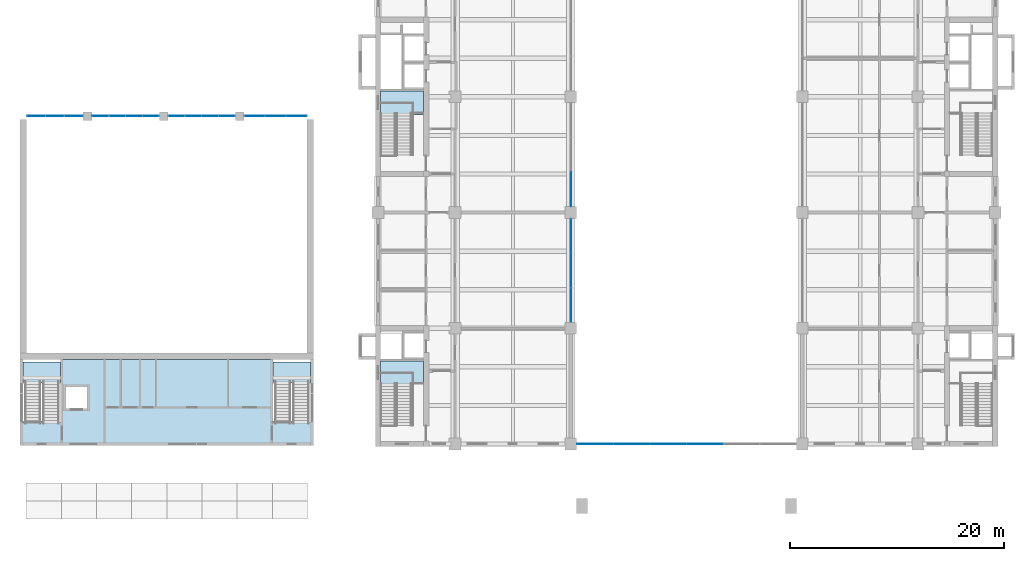
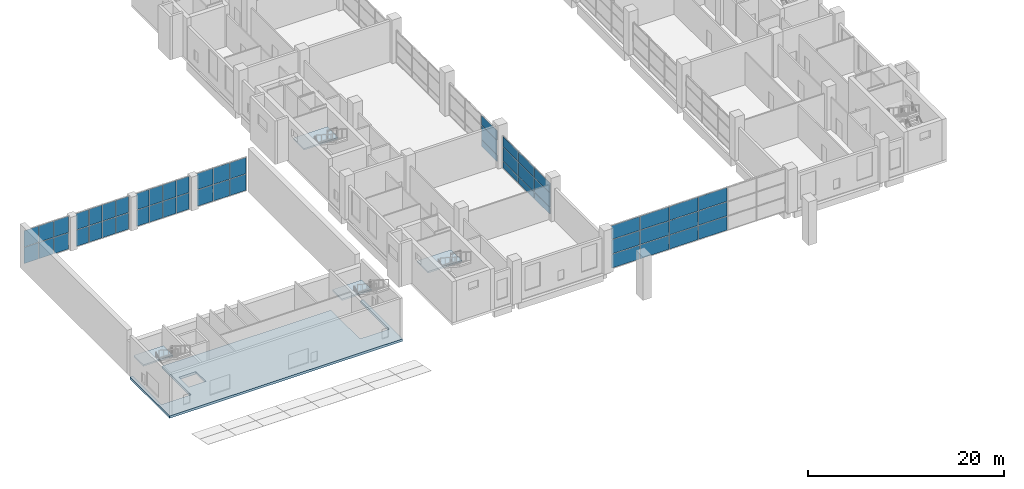
# One storey, part 14 of 33: 52 plates, 5 slabs, 11 elements without a shape of their own.
"""IFC4 building model written with IfcOpenShell, lengths in metres."""

from ifc_helpers import new_model, si_unit, direction, frame, origin, origin_2d, place, context, subcontext, project, spatial, polyline, rectangle, outline, extrude, material, layer, layer_set, type_object, element, aggregate, save


model = new_model("IFC4")

# Units and contexts
model_context = context("Model", 3, precision=1e-05, world=origin(), true_north=direction((0.0, 1.0)))
body_context = subcontext(model_context, "Body", "Model", "MODEL_VIEW")
ifc_project = project(units=[si_unit("LENGTHUNIT", "METRE"), si_unit("AREAUNIT", "SQUARE_METRE"), si_unit("VOLUMEUNIT", "CUBIC_METRE"), si_unit("PLANEANGLEUNIT", "RADIAN"), si_unit("MASSUNIT", "GRAM", prefix="KILO")], contexts=[model_context])

# Site, building, storey
site_placement = place(None, origin())
site = spatial("IfcSite", under=ifc_project, at=site_placement, CompositionType="ELEMENT")
building_placement = place(site_placement, origin())
building = spatial("IfcBuilding", under=site, at=building_placement, Name="Basin Gate Institute", CompositionType="ELEMENT")
storey_placement = place(building_placement, frame((0.0, 0.0, 6.0)))
storey = spatial("IfcBuildingStorey", under=building, at=storey_placement, Name="L01", CompositionType="ELEMENT", Elevation=6.0)

# Curtain wall, plates
ifc_material_1 = material(Name="Aluminium and glass curtain wall", Category="aluminium")
ifc_layer_1 = layer(ifc_material_1, 0.14990234375)
ifc_layer_set_1 = layer_set([ifc_layer_1], Name="Atrium curtain wall CW81")
curtain_wall_type_1 = type_object("IfcCurtainWallType", Name="Atrium curtain wall CW81", PredefinedType="NOTDEFINED", material=ifc_layer_set_1)
curtain_wall_1_placement = place(storey_placement, origin())
curtain_wall_1 = element("IfcCurtainWall", 1, at=curtain_wall_1_placement, inside=storey, type_object=curtain_wall_type_1, material=ifc_layer_set_1, Name="Theatre clerestory glazing 1", PredefinedType="NOTDEFINED")
ifc_material_2 = material(Name="Toughened glass", Category="glass")
ifc_layer_2 = layer(ifc_material_2, 0.028076171875)
ifc_layer_set_2 = layer_set([ifc_layer_2], Name="Atrium glass panel PN81")
plate_type_1 = type_object("IfcPlateType", Name="Atrium glass panel PN81", PredefinedType="CURTAIN_PANEL", material=ifc_layer_set_2)
plate_1_placement = place(storey_placement, frame((29.29833984375, 65.699951171875, 0.06005859375), z_axis=(0.0, 0.0, 1.0), x_axis=(1.0, 0.0, 0.0)))
plate_1 = element("IfcPlate", 2, at=plate_1_placement, type_object=plate_type_1, material=ifc_layer_set_2, Name="CW81 panel 1.1", PredefinedType="CURTAIN_PANEL", context=body_context, shape_type="SweptSolid", body=[
    extrude(rectangle(XDim=1.6767578125, YDim=0.028076171875, at=origin_2d()), origin(), (0.0, 0.0, 1.0), 2.010009765625),
])
plate_2_placement = place(storey_placement, frame((29.29833984375, 65.699951171875, 2.1298828125), z_axis=(0.0, 0.0, 1.0), x_axis=(1.0, 0.0, 0.0)))
plate_2 = element("IfcPlate", 3, at=plate_2_placement, type_object=plate_type_1, material=ifc_layer_set_2, Name="CW81 panel 1.2", PredefinedType="CURTAIN_PANEL", context=body_context, shape_type="SweptSolid", body=[
    extrude(rectangle(XDim=1.6767578125, YDim=0.028076171875, at=origin_2d()), origin(), (0.0, 0.0, 1.0), 2.010009765625),
])
plate_3_placement = place(storey_placement, frame((31.050048828125, 65.699951171875, 0.06005859375), z_axis=(0.0, 0.0, 1.0), x_axis=(1.0, 0.0, 0.0)))
plate_3 = element("IfcPlate", 4, at=plate_3_placement, type_object=plate_type_1, material=ifc_layer_set_2, Name="CW81 panel 2.1", PredefinedType="CURTAIN_PANEL", context=body_context, shape_type="SweptSolid", body=[
    extrude(rectangle(XDim=1.706787109375, YDim=0.028076171875, at=origin_2d()), origin(), (0.0, 0.0, 1.0), 2.010009765625),
])
plate_4_placement = place(storey_placement, frame((31.050048828125, 65.699951171875, 2.1298828125), z_axis=(0.0, 0.0, 1.0), x_axis=(1.0, 0.0, 0.0)))
plate_4 = element("IfcPlate", 5, at=plate_4_placement, type_object=plate_type_1, material=ifc_layer_set_2, Name="CW81 panel 2.2", PredefinedType="CURTAIN_PANEL", context=body_context, shape_type="SweptSolid", body=[
    extrude(rectangle(XDim=1.706787109375, YDim=0.028076171875, at=origin_2d()), origin(), (0.0, 0.0, 1.0), 2.010009765625),
])
plate_5_placement = place(storey_placement, frame((32.8017578125, 65.699951171875, 0.06005859375), z_axis=(0.0, 0.0, 1.0), x_axis=(1.0, 0.0, 0.0)))
plate_5 = element("IfcPlate", 6, at=plate_5_placement, type_object=plate_type_1, material=ifc_layer_set_2, Name="CW81 panel 3.1", PredefinedType="CURTAIN_PANEL", context=body_context, shape_type="SweptSolid", body=[
    extrude(rectangle(XDim=1.6767578125, YDim=0.028076171875, at=origin_2d()), origin(), (0.0, 0.0, 1.0), 2.010009765625),
])
plate_6_placement = place(storey_placement, frame((32.8017578125, 65.699951171875, 2.1298828125), z_axis=(0.0, 0.0, 1.0), x_axis=(1.0, 0.0, 0.0)))
plate_6 = element("IfcPlate", 7, at=plate_6_placement, type_object=plate_type_1, material=ifc_layer_set_2, Name="CW81 panel 3.2", PredefinedType="CURTAIN_PANEL", context=body_context, shape_type="SweptSolid", body=[
    extrude(rectangle(XDim=1.6767578125, YDim=0.028076171875, at=origin_2d()), origin(), (0.0, 0.0, 1.0), 2.010009765625),
])
aggregate(curtain_wall_1, [plate_1, plate_2, plate_3, plate_4, plate_5, plate_6])

curtain_wall_2_placement = place(storey_placement, origin())
curtain_wall_2 = element("IfcCurtainWall", 8, at=curtain_wall_2_placement, inside=storey, type_object=curtain_wall_type_1, material=ifc_layer_set_1, Name="Theatre clerestory glazing 2", PredefinedType="NOTDEFINED")
plate_7_placement = place(storey_placement, frame((35.302490234375, 65.699951171875, 0.06005859375), z_axis=(0.0, 0.0, 1.0), x_axis=(1.0, 0.0, 0.0)))
plate_7 = element("IfcPlate", 9, at=plate_7_placement, type_object=plate_type_1, material=ifc_layer_set_2, Name="CW81 panel 1.1", PredefinedType="CURTAIN_PANEL", context=body_context, shape_type="SweptSolid", body=[
    extrude(rectangle(XDim=1.485107421875, YDim=0.028076171875, at=origin_2d()), origin(), (0.0, 0.0, 1.0), 2.010009765625),
])
plate_8_placement = place(storey_placement, frame((35.302490234375, 65.699951171875, 2.1298828125), z_axis=(0.0, 0.0, 1.0), x_axis=(1.0, 0.0, 0.0)))
plate_8 = element("IfcPlate", 10, at=plate_8_placement, type_object=plate_type_1, material=ifc_layer_set_2, Name="CW81 panel 1.2", PredefinedType="CURTAIN_PANEL", context=body_context, shape_type="SweptSolid", body=[
    extrude(rectangle(XDim=1.485107421875, YDim=0.028076171875, at=origin_2d()), origin(), (0.0, 0.0, 1.0), 2.010009765625),
])
plate_9_placement = place(storey_placement, frame((36.862548828125, 65.699951171875, 0.06005859375), z_axis=(0.0, 0.0, 1.0), x_axis=(1.0, 0.0, 0.0)))
plate_9 = element("IfcPlate", 11, at=plate_9_placement, type_object=plate_type_1, material=ifc_layer_set_2, Name="CW81 panel 2.1", PredefinedType="CURTAIN_PANEL", context=body_context, shape_type="SweptSolid", body=[
    extrude(rectangle(XDim=1.514892578125, YDim=0.028076171875, at=origin_2d()), origin(), (0.0, 0.0, 1.0), 2.010009765625),
])
plate_10_placement = place(storey_placement, frame((36.862548828125, 65.699951171875, 2.1298828125), z_axis=(0.0, 0.0, 1.0), x_axis=(1.0, 0.0, 0.0)))
plate_10 = element("IfcPlate", 12, at=plate_10_placement, type_object=plate_type_1, material=ifc_layer_set_2, Name="CW81 panel 2.2", PredefinedType="CURTAIN_PANEL", context=body_context, shape_type="SweptSolid", body=[
    extrude(rectangle(XDim=1.514892578125, YDim=0.028076171875, at=origin_2d()), origin(), (0.0, 0.0, 1.0), 2.010009765625),
])
plate_11_placement = place(storey_placement, frame((38.4375, 65.699951171875, 0.06005859375), z_axis=(0.0, 0.0, 1.0), x_axis=(1.0, 0.0, 0.0)))
plate_11 = element("IfcPlate", 13, at=plate_11_placement, type_object=plate_type_1, material=ifc_layer_set_2, Name="CW81 panel 3.1", PredefinedType="CURTAIN_PANEL", context=body_context, shape_type="SweptSolid", body=[
    extrude(rectangle(XDim=1.514892578125, YDim=0.028076171875, at=origin_2d()), origin(), (0.0, 0.0, 1.0), 2.010009765625),
])
plate_12_placement = place(storey_placement, frame((38.4375, 65.699951171875, 2.1298828125), z_axis=(0.0, 0.0, 1.0), x_axis=(1.0, 0.0, 0.0)))
plate_12 = element("IfcPlate", 14, at=plate_12_placement, type_object=plate_type_1, material=ifc_layer_set_2, Name="CW81 panel 3.2", PredefinedType="CURTAIN_PANEL", context=body_context, shape_type="SweptSolid", body=[
    extrude(rectangle(XDim=1.514892578125, YDim=0.028076171875, at=origin_2d()), origin(), (0.0, 0.0, 1.0), 2.010009765625),
])
plate_13_placement = place(storey_placement, frame((39.99755859375, 65.699951171875, 0.06005859375), z_axis=(0.0, 0.0, 1.0), x_axis=(1.0, 0.0, 0.0)))
plate_13 = element("IfcPlate", 15, at=plate_13_placement, type_object=plate_type_1, material=ifc_layer_set_2, Name="CW81 panel 4.1", PredefinedType="CURTAIN_PANEL", context=body_context, shape_type="SweptSolid", body=[
    extrude(rectangle(XDim=1.485107421875, YDim=0.028076171875, at=origin_2d()), origin(), (0.0, 0.0, 1.0), 2.010009765625),
])
plate_14_placement = place(storey_placement, frame((39.99755859375, 65.699951171875, 2.1298828125), z_axis=(0.0, 0.0, 1.0), x_axis=(1.0, 0.0, 0.0)))
plate_14 = element("IfcPlate", 16, at=plate_14_placement, type_object=plate_type_1, material=ifc_layer_set_2, Name="CW81 panel 4.2", PredefinedType="CURTAIN_PANEL", context=body_context, shape_type="SweptSolid", body=[
    extrude(rectangle(XDim=1.485107421875, YDim=0.028076171875, at=origin_2d()), origin(), (0.0, 0.0, 1.0), 2.010009765625),
])
aggregate(curtain_wall_2, [plate_7, plate_8, plate_9, plate_10, plate_11, plate_12, plate_13, plate_14])

curtain_wall_3_placement = place(storey_placement, origin())
curtain_wall_3 = element("IfcCurtainWall", 17, at=curtain_wall_3_placement, inside=storey, type_object=curtain_wall_type_1, material=ifc_layer_set_1, Name="Theatre clerestory glazing 3", PredefinedType="NOTDEFINED")
plate_15_placement = place(storey_placement, frame((42.402587890625, 65.699951171875, 0.06005859375), z_axis=(0.0, 0.0, 1.0), x_axis=(1.0, 0.0, 0.0)))
plate_15 = element("IfcPlate", 18, at=plate_15_placement, type_object=plate_type_1, material=ifc_layer_set_2, Name="CW81 panel 1.1", PredefinedType="CURTAIN_PANEL", context=body_context, shape_type="SweptSolid", body=[
    extrude(rectangle(XDim=1.485107421875, YDim=0.028076171875, at=origin_2d()), origin(), (0.0, 0.0, 1.0), 2.010009765625),
])
plate_16_placement = place(storey_placement, frame((42.402587890625, 65.699951171875, 2.1298828125), z_axis=(0.0, 0.0, 1.0), x_axis=(1.0, 0.0, 0.0)))
plate_16 = element("IfcPlate", 19, at=plate_16_placement, type_object=plate_type_1, material=ifc_layer_set_2, Name="CW81 panel 1.2", PredefinedType="CURTAIN_PANEL", context=body_context, shape_type="SweptSolid", body=[
    extrude(rectangle(XDim=1.485107421875, YDim=0.028076171875, at=origin_2d()), origin(), (0.0, 0.0, 1.0), 2.010009765625),
])
plate_17_placement = place(storey_placement, frame((43.96240234375, 65.699951171875, 0.06005859375), z_axis=(0.0, 0.0, 1.0), x_axis=(1.0, 0.0, 0.0)))
plate_17 = element("IfcPlate", 20, at=plate_17_placement, type_object=plate_type_1, material=ifc_layer_set_2, Name="CW81 panel 2.1", PredefinedType="CURTAIN_PANEL", context=body_context, shape_type="SweptSolid", body=[
    extrude(rectangle(XDim=1.514892578125, YDim=0.028076171875, at=origin_2d()), origin(), (0.0, 0.0, 1.0), 2.010009765625),
])
plate_18_placement = place(storey_placement, frame((43.96240234375, 65.699951171875, 2.1298828125), z_axis=(0.0, 0.0, 1.0), x_axis=(1.0, 0.0, 0.0)))
plate_18 = element("IfcPlate", 21, at=plate_18_placement, type_object=plate_type_1, material=ifc_layer_set_2, Name="CW81 panel 2.2", PredefinedType="CURTAIN_PANEL", context=body_context, shape_type="SweptSolid", body=[
    extrude(rectangle(XDim=1.514892578125, YDim=0.028076171875, at=origin_2d()), origin(), (0.0, 0.0, 1.0), 2.010009765625),
])
plate_19_placement = place(storey_placement, frame((45.53759765625, 65.699951171875, 0.06005859375), z_axis=(0.0, 0.0, 1.0), x_axis=(1.0, 0.0, 0.0)))
plate_19 = element("IfcPlate", 22, at=plate_19_placement, type_object=plate_type_1, material=ifc_layer_set_2, Name="CW81 panel 3.1", PredefinedType="CURTAIN_PANEL", context=body_context, shape_type="SweptSolid", body=[
    extrude(rectangle(XDim=1.514892578125, YDim=0.028076171875, at=origin_2d()), origin(), (0.0, 0.0, 1.0), 2.010009765625),
])
plate_20_placement = place(storey_placement, frame((45.53759765625, 65.699951171875, 2.1298828125), z_axis=(0.0, 0.0, 1.0), x_axis=(1.0, 0.0, 0.0)))
plate_20 = element("IfcPlate", 23, at=plate_20_placement, type_object=plate_type_1, material=ifc_layer_set_2, Name="CW81 panel 3.2", PredefinedType="CURTAIN_PANEL", context=body_context, shape_type="SweptSolid", body=[
    extrude(rectangle(XDim=1.514892578125, YDim=0.028076171875, at=origin_2d()), origin(), (0.0, 0.0, 1.0), 2.010009765625),
])
plate_21_placement = place(storey_placement, frame((47.097412109375, 65.699951171875, 0.06005859375), z_axis=(0.0, 0.0, 1.0), x_axis=(1.0, 0.0, 0.0)))
plate_21 = element("IfcPlate", 24, at=plate_21_placement, type_object=plate_type_1, material=ifc_layer_set_2, Name="CW81 panel 4.1", PredefinedType="CURTAIN_PANEL", context=body_context, shape_type="SweptSolid", body=[
    extrude(rectangle(XDim=1.485107421875, YDim=0.028076171875, at=origin_2d()), origin(), (0.0, 0.0, 1.0), 2.010009765625),
])
plate_22_placement = place(storey_placement, frame((47.097412109375, 65.699951171875, 2.1298828125), z_axis=(0.0, 0.0, 1.0), x_axis=(1.0, 0.0, 0.0)))
plate_22 = element("IfcPlate", 25, at=plate_22_placement, type_object=plate_type_1, material=ifc_layer_set_2, Name="CW81 panel 4.2", PredefinedType="CURTAIN_PANEL", context=body_context, shape_type="SweptSolid", body=[
    extrude(rectangle(XDim=1.485107421875, YDim=0.028076171875, at=origin_2d()), origin(), (0.0, 0.0, 1.0), 2.010009765625),
])
aggregate(curtain_wall_3, [plate_15, plate_16, plate_17, plate_18, plate_19, plate_20, plate_21, plate_22])

curtain_wall_4_placement = place(storey_placement, origin())
curtain_wall_4 = element("IfcCurtainWall", 26, at=curtain_wall_4_placement, inside=storey, type_object=curtain_wall_type_1, material=ifc_layer_set_1, Name="Theatre clerestory glazing 4", PredefinedType="NOTDEFINED")
plate_23_placement = place(storey_placement, frame((49.6982421875, 65.699951171875, 0.06005859375), z_axis=(0.0, 0.0, 1.0), x_axis=(1.0, 0.0, 0.0)))
plate_23 = element("IfcPlate", 27, at=plate_23_placement, type_object=plate_type_1, material=ifc_layer_set_2, Name="CW81 panel 1.1", PredefinedType="CURTAIN_PANEL", context=body_context, shape_type="SweptSolid", body=[
    extrude(rectangle(XDim=1.876708984375, YDim=0.028076171875, at=origin_2d()), origin(), (0.0, 0.0, 1.0), 2.010009765625),
])
plate_24_placement = place(storey_placement, frame((49.6982421875, 65.699951171875, 2.1298828125), z_axis=(0.0, 0.0, 1.0), x_axis=(1.0, 0.0, 0.0)))
plate_24 = element("IfcPlate", 28, at=plate_24_placement, type_object=plate_type_1, material=ifc_layer_set_2, Name="CW81 panel 1.2", PredefinedType="CURTAIN_PANEL", context=body_context, shape_type="SweptSolid", body=[
    extrude(rectangle(XDim=1.876708984375, YDim=0.028076171875, at=origin_2d()), origin(), (0.0, 0.0, 1.0), 2.010009765625),
])
plate_25_placement = place(storey_placement, frame((51.64990234375, 65.699951171875, 0.06005859375), z_axis=(0.0, 0.0, 1.0), x_axis=(1.0, 0.0, 0.0)))
plate_25 = element("IfcPlate", 29, at=plate_25_placement, type_object=plate_type_1, material=ifc_layer_set_2, Name="CW81 panel 2.1", PredefinedType="CURTAIN_PANEL", context=body_context, shape_type="SweptSolid", body=[
    extrude(rectangle(XDim=1.90673828125, YDim=0.028076171875, at=origin_2d()), origin(), (0.0, 0.0, 1.0), 2.010009765625),
])
plate_26_placement = place(storey_placement, frame((51.64990234375, 65.699951171875, 2.1298828125), z_axis=(0.0, 0.0, 1.0), x_axis=(1.0, 0.0, 0.0)))
plate_26 = element("IfcPlate", 30, at=plate_26_placement, type_object=plate_type_1, material=ifc_layer_set_2, Name="CW81 panel 2.2", PredefinedType="CURTAIN_PANEL", context=body_context, shape_type="SweptSolid", body=[
    extrude(rectangle(XDim=1.90673828125, YDim=0.028076171875, at=origin_2d()), origin(), (0.0, 0.0, 1.0), 2.010009765625),
])
plate_27_placement = place(storey_placement, frame((53.6015625, 65.699951171875, 0.06005859375), z_axis=(0.0, 0.0, 1.0), x_axis=(1.0, 0.0, 0.0)))
plate_27 = element("IfcPlate", 31, at=plate_27_placement, type_object=plate_type_1, material=ifc_layer_set_2, Name="CW81 panel 3.1", PredefinedType="CURTAIN_PANEL", context=body_context, shape_type="SweptSolid", body=[
    extrude(rectangle(XDim=1.876708984375, YDim=0.028076171875, at=origin_2d()), origin(), (0.0, 0.0, 1.0), 2.010009765625),
])
plate_28_placement = place(storey_placement, frame((53.6015625, 65.699951171875, 2.1298828125), z_axis=(0.0, 0.0, 1.0), x_axis=(1.0, 0.0, 0.0)))
plate_28 = element("IfcPlate", 32, at=plate_28_placement, type_object=plate_type_1, material=ifc_layer_set_2, Name="CW81 panel 3.2", PredefinedType="CURTAIN_PANEL", context=body_context, shape_type="SweptSolid", body=[
    extrude(rectangle(XDim=1.876708984375, YDim=0.028076171875, at=origin_2d()), origin(), (0.0, 0.0, 1.0), 2.010009765625),
])
aggregate(curtain_wall_4, [plate_23, plate_24, plate_25, plate_26, plate_27, plate_28])

curtain_wall_5_placement = place(storey_placement, origin())
curtain_wall_5 = element("IfcCurtainWall", 33, at=curtain_wall_5_placement, inside=storey, type_object=curtain_wall_type_1, material=ifc_layer_set_1, Name="Atrium end screen S L01", PredefinedType="NOTDEFINED")
plate_29_placement = place(storey_placement, frame((81.473388671875, 35.10009765625, 0.06005859375), z_axis=(0.0, 0.0, 1.0), x_axis=(1.0, 0.0, 0.0)))
plate_29 = element("IfcPlate", 34, at=plate_29_placement, type_object=plate_type_1, material=ifc_layer_set_2, Name="CW81 panel 1.1", PredefinedType="CURTAIN_PANEL", context=body_context, shape_type="SweptSolid", body=[
    extrude(rectangle(XDim=3.32666015625, YDim=0.028076171875, at=origin_2d()), origin(), (0.0, 0.0, 1.0), 1.7099609375),
])
plate_30_placement = place(storey_placement, frame((81.473388671875, 35.10009765625, 1.830078125), z_axis=(0.0, 0.0, 1.0), x_axis=(1.0, 0.0, 0.0)))
plate_30 = element("IfcPlate", 35, at=plate_30_placement, type_object=plate_type_1, material=ifc_layer_set_2, Name="CW81 panel 1.2", PredefinedType="CURTAIN_PANEL", context=body_context, shape_type="SweptSolid", body=[
    extrude(rectangle(XDim=3.32666015625, YDim=0.028076171875, at=origin_2d()), origin(), (0.0, 0.0, 1.0), 1.739990234375),
])
plate_31_placement = place(storey_placement, frame((81.473388671875, 35.10009765625, 3.630126953125), z_axis=(0.0, 0.0, 1.0), x_axis=(1.0, 0.0, 0.0)))
plate_31 = element("IfcPlate", 36, at=plate_31_placement, type_object=plate_type_1, material=ifc_layer_set_2, Name="CW81 panel 1.3", PredefinedType="CURTAIN_PANEL", context=body_context, shape_type="SweptSolid", body=[
    extrude(rectangle(XDim=3.32666015625, YDim=0.028076171875, at=origin_2d()), origin(), (0.0, 0.0, 1.0), 1.7099609375),
])
plate_32_placement = place(storey_placement, frame((84.875, 35.10009765625, 0.06005859375), z_axis=(0.0, 0.0, 1.0), x_axis=(1.0, 0.0, 0.0)))
plate_32 = element("IfcPlate", 37, at=plate_32_placement, type_object=plate_type_1, material=ifc_layer_set_2, Name="CW81 panel 2.1", PredefinedType="CURTAIN_PANEL", context=body_context, shape_type="SweptSolid", body=[
    extrude(rectangle(XDim=3.356689453125, YDim=0.028076171875, at=origin_2d()), origin(), (0.0, 0.0, 1.0), 1.7099609375),
])
plate_33_placement = place(storey_placement, frame((84.875, 35.10009765625, 1.830078125), z_axis=(0.0, 0.0, 1.0), x_axis=(1.0, 0.0, 0.0)))
plate_33 = element("IfcPlate", 38, at=plate_33_placement, type_object=plate_type_1, material=ifc_layer_set_2, Name="CW81 panel 2.2", PredefinedType="CURTAIN_PANEL", context=body_context, shape_type="SweptSolid", body=[
    extrude(rectangle(XDim=3.356689453125, YDim=0.028076171875, at=origin_2d()), origin(), (0.0, 0.0, 1.0), 1.739990234375),
])
plate_34_placement = place(storey_placement, frame((84.875, 35.10009765625, 3.630126953125), z_axis=(0.0, 0.0, 1.0), x_axis=(1.0, 0.0, 0.0)))
plate_34 = element("IfcPlate", 39, at=plate_34_placement, type_object=plate_type_1, material=ifc_layer_set_2, Name="CW81 panel 2.3", PredefinedType="CURTAIN_PANEL", context=body_context, shape_type="SweptSolid", body=[
    extrude(rectangle(XDim=3.356689453125, YDim=0.028076171875, at=origin_2d()), origin(), (0.0, 0.0, 1.0), 1.7099609375),
])
plate_35_placement = place(storey_placement, frame((88.291748046875, 35.10009765625, 0.06005859375), z_axis=(0.0, 0.0, 1.0), x_axis=(1.0, 0.0, 0.0)))
plate_35 = element("IfcPlate", 40, at=plate_35_placement, type_object=plate_type_1, material=ifc_layer_set_2, Name="CW81 panel 3.1", PredefinedType="CURTAIN_PANEL", context=body_context, shape_type="SweptSolid", body=[
    extrude(rectangle(XDim=3.356689453125, YDim=0.028076171875, at=origin_2d()), origin(), (0.0, 0.0, 1.0), 1.7099609375),
])
plate_36_placement = place(storey_placement, frame((88.291748046875, 35.10009765625, 1.830078125), z_axis=(0.0, 0.0, 1.0), x_axis=(1.0, 0.0, 0.0)))
plate_36 = element("IfcPlate", 41, at=plate_36_placement, type_object=plate_type_1, material=ifc_layer_set_2, Name="CW81 panel 3.2", PredefinedType="CURTAIN_PANEL", context=body_context, shape_type="SweptSolid", body=[
    extrude(rectangle(XDim=3.356689453125, YDim=0.028076171875, at=origin_2d()), origin(), (0.0, 0.0, 1.0), 1.739990234375),
])
plate_37_placement = place(storey_placement, frame((88.291748046875, 35.10009765625, 3.630126953125), z_axis=(0.0, 0.0, 1.0), x_axis=(1.0, 0.0, 0.0)))
plate_37 = element("IfcPlate", 42, at=plate_37_placement, type_object=plate_type_1, material=ifc_layer_set_2, Name="CW81 panel 3.3", PredefinedType="CURTAIN_PANEL", context=body_context, shape_type="SweptSolid", body=[
    extrude(rectangle(XDim=3.356689453125, YDim=0.028076171875, at=origin_2d()), origin(), (0.0, 0.0, 1.0), 1.7099609375),
])
plate_38_placement = place(storey_placement, frame((91.708251953125, 35.10009765625, 0.06005859375), z_axis=(0.0, 0.0, 1.0), x_axis=(1.0, 0.0, 0.0)))
plate_38 = element("IfcPlate", 43, at=plate_38_placement, type_object=plate_type_1, material=ifc_layer_set_2, Name="CW81 panel 4.1", PredefinedType="CURTAIN_PANEL", context=body_context, shape_type="SweptSolid", body=[
    extrude(rectangle(XDim=3.356689453125, YDim=0.028076171875, at=origin_2d()), origin(), (0.0, 0.0, 1.0), 1.7099609375),
])
plate_39_placement = place(storey_placement, frame((91.708251953125, 35.10009765625, 1.830078125), z_axis=(0.0, 0.0, 1.0), x_axis=(1.0, 0.0, 0.0)))
plate_39 = element("IfcPlate", 44, at=plate_39_placement, type_object=plate_type_1, material=ifc_layer_set_2, Name="CW81 panel 4.2", PredefinedType="CURTAIN_PANEL", context=body_context, shape_type="SweptSolid", body=[
    extrude(rectangle(XDim=3.356689453125, YDim=0.028076171875, at=origin_2d()), origin(), (0.0, 0.0, 1.0), 1.739990234375),
])
plate_40_placement = place(storey_placement, frame((91.708251953125, 35.10009765625, 3.630126953125), z_axis=(0.0, 0.0, 1.0), x_axis=(1.0, 0.0, 0.0)))
plate_40 = element("IfcPlate", 45, at=plate_40_placement, type_object=plate_type_1, material=ifc_layer_set_2, Name="CW81 panel 4.3", PredefinedType="CURTAIN_PANEL", context=body_context, shape_type="SweptSolid", body=[
    extrude(rectangle(XDim=3.356689453125, YDim=0.028076171875, at=origin_2d()), origin(), (0.0, 0.0, 1.0), 1.7099609375),
])
aggregate(curtain_wall_5, [plate_29, plate_30, plate_31, plate_32, plate_33, plate_34, plate_35, plate_36, plate_37, plate_38, plate_39, plate_40])

# Stair, slab
ifc_material_3 = material(Name="Concrete 40 MPa", Category="concrete")
stair_type_1 = type_object("IfcStairType", Name="Block stair ST", PredefinedType="HALF_TURN_STAIR", material=ifc_material_3)
stair_1_placement = place(storey_placement, origin())
stair_1 = element("IfcStair", 46, at=stair_1_placement, inside=storey, type_object=stair_type_1, material=ifc_material_3, Name="Theatre stair ST-T2 L01", PredefinedType="HALF_TURN_STAIR")
ifc_material_4 = material(Name="Concrete 40 MPa", Category="concrete")
ifc_layer_3 = layer(ifc_material_4, 0.199951171875)
ifc_layer_set_3 = layer_set([ifc_layer_3], Name="Concrete 40 MPa")
slab_type_1 = type_object("IfcSlabType", Name="Block stair landing", PredefinedType="LANDING", material=ifc_layer_set_3)
slab_1_placement = place(storey_placement, frame((0.0, 0.0, 2.5)))
slab_1 = element("IfcSlab", 47, at=slab_1_placement, type_object=slab_type_1, material=ifc_layer_set_3, Name="ST-T2 landing 1", PredefinedType="LANDING", context=body_context, shape_type="SweptSolid", body=[
    extrude(outline(polyline([(28.10009765625, 40.800048828125), (31.574951171875, 40.800048828125), (31.574951171875, 42.75), (28.10009765625, 42.75), (28.10009765625, 40.800048828125)])), origin(), (0.0, 0.0, 1.0), 0.199951171875),
])
aggregate(stair_1, [slab_1])

stair_2_placement = place(storey_placement, origin())
stair_2 = element("IfcStair", 48, at=stair_2_placement, inside=storey, type_object=stair_type_1, material=ifc_material_3, Name="Theatre stair ST-T4 L01", PredefinedType="HALF_TURN_STAIR")
slab_2_placement = place(storey_placement, frame((0.0, 0.0, 2.5)))
slab_2 = element("IfcSlab", 49, at=slab_2_placement, type_object=slab_type_1, material=ifc_layer_set_3, Name="ST-T4 landing 1", PredefinedType="LANDING", context=body_context, shape_type="SweptSolid", body=[
    extrude(outline(polyline([(51.425048828125, 40.800048828125), (54.89990234375, 40.800048828125), (54.89990234375, 42.75), (51.425048828125, 42.75), (51.425048828125, 40.800048828125)])), origin(), (0.0, 0.0, 1.0), 0.199951171875),
])
aggregate(stair_2, [slab_2])

# Slab
ifc_material_5 = material(Name="Concrete 40 MPa", Category="concrete")
ifc_layer_4 = layer(ifc_material_5, 0.300048828125)
ifc_layer_set_4 = layer_set([ifc_layer_4], Name="Concrete 40 MPa")
slab_type_2 = type_object("IfcSlabType", Name="Slab SL3 R180", PredefinedType="FLOOR", material=ifc_layer_set_4)
slab_3_placement = place(storey_placement, frame((0.0, 0.0, -0.300048828125)))
element("IfcSlab", 50, at=slab_3_placement, inside=storey, type_object=slab_type_2, material=ifc_layer_set_4, Name="Theatre floor slab R180 L01", PredefinedType="FLOOR", context=body_context, shape_type="SweptSolid", body=[
    extrude(outline(polyline([(55.199951171875, 43.0), (54.89990234375, 43.0), (54.89990234375, 37.1201171875), (51.425048828125, 37.1201171875), (51.425048828125, 43.0), (31.574951171875, 43.0), (31.574951171875, 37.1201171875), (28.10009765625, 37.1201171875), (28.10009765625, 43.0), (27.800048828125, 43.0), (27.800048828125, 34.949951171875), (55.199951171875, 34.949951171875), (55.199951171875, 43.0)]), holes=[polyline([(32.074951171875, 38.425048828125), (32.074951171875, 40.425048828125), (34.074951171875, 40.425048828125), (34.074951171875, 38.425048828125), (32.074951171875, 38.425048828125)])]), origin(), (0.0, 0.0, 1.0), 0.300048828125),
])

# Curtain wall, plates
ifc_material_6 = material(Name="Fire-resistant glazing in steel-free frame", Category="steel")
ifc_layer_5 = layer(ifc_material_6, 0.199951171875)
ifc_layer_set_5 = layer_set([ifc_layer_5], Name="Fire-resistant glazing in steel-free frame")
curtain_wall_type_2 = type_object("IfcCurtainWallType", Name="Atrium rated curtain wall CW3", PredefinedType="NOTDEFINED", material=ifc_layer_set_5)
curtain_wall_6_placement = place(storey_placement, origin())
curtain_wall_6 = element("IfcCurtainWall", 51, at=curtain_wall_6_placement, inside=storey, type_object=curtain_wall_type_2, material=ifc_layer_set_5, Name="Atrium rated curtain wall W wing atrium bay 2 L01", PredefinedType="NOTDEFINED")
ifc_material_7 = material(Name="Fire-resisting board panel")
ifc_layer_6 = layer(ifc_material_7, 0.050048828125)
ifc_layer_set_6 = layer_set([ifc_layer_6], Name="Spandrel panel PN4")
plate_type_2 = type_object("IfcPlateType", Name="Spandrel panel PN4", PredefinedType="CURTAIN_PANEL", material=ifc_layer_set_6)
plate_41_placement = place(storey_placement, frame((79.199951171875, 48.081787109375, 0.06005859375), z_axis=(0.0, 0.0, 1.0), x_axis=(0.0, 1.0, 0.0)))
plate_41 = element("IfcPlate", 52, at=plate_41_placement, type_object=plate_type_2, material=ifc_layer_set_6, Name="CW3 spandrel panel 1.1", PredefinedType="CURTAIN_PANEL", context=body_context, shape_type="SweptSolid", body=[
    extrude(rectangle(XDim=3.143310546875, YDim=0.050048828125, at=origin_2d()), origin(), (0.0, 0.0, 1.0), 0.81005859375),
])
plate_42_placement = place(storey_placement, frame((79.199951171875, 48.081787109375, 2.72998046875), z_axis=(0.0, 0.0, 1.0), x_axis=(0.0, 1.0, 0.0)))
plate_42 = element("IfcPlate", 53, at=plate_42_placement, type_object=plate_type_2, material=ifc_layer_set_6, Name="CW3 spandrel panel 1.3", PredefinedType="CURTAIN_PANEL", context=body_context, shape_type="SweptSolid", body=[
    extrude(rectangle(XDim=3.143310546875, YDim=0.050048828125, at=origin_2d()), origin(), (0.0, 0.0, 1.0), 1.2099609375),
])
plate_43_placement = place(storey_placement, frame((79.199951171875, 51.300048828125, 0.06005859375), z_axis=(0.0, 0.0, 1.0), x_axis=(0.0, 1.0, 0.0)))
plate_43 = element("IfcPlate", 54, at=plate_43_placement, type_object=plate_type_2, material=ifc_layer_set_6, Name="CW3 spandrel panel 2.1", PredefinedType="CURTAIN_PANEL", context=body_context, shape_type="SweptSolid", body=[
    extrude(rectangle(XDim=3.17333984375, YDim=0.050048828125, at=origin_2d()), origin(), (0.0, 0.0, 1.0), 0.81005859375),
])
plate_44_placement = place(storey_placement, frame((79.199951171875, 51.300048828125, 2.72998046875), z_axis=(0.0, 0.0, 1.0), x_axis=(0.0, 1.0, 0.0)))
plate_44 = element("IfcPlate", 55, at=plate_44_placement, type_object=plate_type_2, material=ifc_layer_set_6, Name="CW3 spandrel panel 2.3", PredefinedType="CURTAIN_PANEL", context=body_context, shape_type="SweptSolid", body=[
    extrude(rectangle(XDim=3.17333984375, YDim=0.050048828125, at=origin_2d()), origin(), (0.0, 0.0, 1.0), 1.2099609375),
])
plate_45_placement = place(storey_placement, frame((79.199951171875, 54.518310546875, 0.06005859375), z_axis=(0.0, 0.0, 1.0), x_axis=(0.0, 1.0, 0.0)))
plate_45 = element("IfcPlate", 56, at=plate_45_placement, type_object=plate_type_2, material=ifc_layer_set_6, Name="CW3 spandrel panel 3.1", PredefinedType="CURTAIN_PANEL", context=body_context, shape_type="SweptSolid", body=[
    extrude(rectangle(XDim=3.143310546875, YDim=0.050048828125, at=origin_2d()), origin(), (0.0, 0.0, 1.0), 0.81005859375),
])
plate_46_placement = place(storey_placement, frame((79.199951171875, 54.518310546875, 2.72998046875), z_axis=(0.0, 0.0, 1.0), x_axis=(0.0, 1.0, 0.0)))
plate_46 = element("IfcPlate", 57, at=plate_46_placement, type_object=plate_type_2, material=ifc_layer_set_6, Name="CW3 spandrel panel 3.3", PredefinedType="CURTAIN_PANEL", context=body_context, shape_type="SweptSolid", body=[
    extrude(rectangle(XDim=3.143310546875, YDim=0.050048828125, at=origin_2d()), origin(), (0.0, 0.0, 1.0), 1.2099609375),
])

curtain_wall_7_placement = place(storey_placement, origin())
curtain_wall_7 = element("IfcCurtainWall", 58, at=curtain_wall_7_placement, inside=storey, type_object=curtain_wall_type_2, material=ifc_layer_set_5, Name="Atrium rated curtain wall W wing atrium bay 3 L01", PredefinedType="NOTDEFINED")
plate_47_placement = place(storey_placement, frame((79.199951171875, 58.881591796875, 0.06005859375), z_axis=(0.0, 0.0, 1.0), x_axis=(0.0, 1.0, 0.0)))
plate_47 = element("IfcPlate", 59, at=plate_47_placement, type_object=plate_type_2, material=ifc_layer_set_6, Name="CW3 spandrel panel 1.1", PredefinedType="CURTAIN_PANEL", context=body_context, shape_type="SweptSolid", body=[
    extrude(rectangle(XDim=3.143310546875, YDim=0.050048828125, at=origin_2d()), origin(), (0.0, 0.0, 1.0), 0.81005859375),
])
plate_48_placement = place(storey_placement, frame((79.199951171875, 58.881591796875, 2.72998046875), z_axis=(0.0, 0.0, 1.0), x_axis=(0.0, 1.0, 0.0)))
plate_48 = element("IfcPlate", 60, at=plate_48_placement, type_object=plate_type_2, material=ifc_layer_set_6, Name="CW3 spandrel panel 1.3", PredefinedType="CURTAIN_PANEL", context=body_context, shape_type="SweptSolid", body=[
    extrude(rectangle(XDim=3.143310546875, YDim=0.050048828125, at=origin_2d()), origin(), (0.0, 0.0, 1.0), 1.2099609375),
])

# Stair, slab
ifc_material_8 = material(Name="Concrete 40 MPa", Category="concrete")
stair_type_2 = type_object("IfcStairType", Name="Stair ST", PredefinedType="HALF_TURN_STAIR", material=ifc_material_8)
stair_3_placement = place(storey_placement, origin())
stair_3 = element("IfcStair", 61, at=stair_3_placement, inside=storey, type_object=stair_type_2, material=ifc_material_8, Name="Special safe stair ST-WS L01", PredefinedType="HALF_TURN_STAIR")
ifc_material_9 = material(Name="Concrete 40 MPa", Category="concrete")
ifc_layer_7 = layer(ifc_material_9, 0.199951171875)
ifc_layer_set_7 = layer_set([ifc_layer_7], Name="Concrete 40 MPa")
slab_type_3 = type_object("IfcSlabType", Name="Stair landing LN REI 180", PredefinedType="LANDING", material=ifc_layer_set_7)
slab_4_placement = place(storey_placement, frame((0.0, 0.0, 2.5)))
slab_4 = element("IfcSlab", 62, at=slab_4_placement, type_object=slab_type_3, material=ifc_layer_set_7, Name="Stair landing ST-WS-L1 L01", PredefinedType="LANDING", context=body_context, shape_type="SweptSolid", body=[
    extrude(outline(polyline([(61.449951171875, 40.64990234375), (65.449951171875, 40.64990234375), (65.449951171875, 42.85009765625), (61.449951171875, 42.85009765625), (61.449951171875, 40.64990234375)])), origin(), (0.0, 0.0, 1.0), 0.199951171875),
])
aggregate(stair_3, [slab_4])

stair_4_placement = place(storey_placement, origin())
stair_4 = element("IfcStair", 63, at=stair_4_placement, inside=storey, type_object=stair_type_2, material=ifc_material_8, Name="Special safe stair ST-WM L01", PredefinedType="HALF_TURN_STAIR")
slab_5_placement = place(storey_placement, frame((0.0, 0.0, 2.5)))
slab_5 = element("IfcSlab", 64, at=slab_5_placement, type_object=slab_type_3, material=ifc_layer_set_7, Name="Stair landing ST-WM-L1 L01", PredefinedType="LANDING", context=body_context, shape_type="SweptSolid", body=[
    extrude(outline(polyline([(61.449951171875, 65.85009765625), (65.449951171875, 65.85009765625), (65.449951171875, 68.050048828125), (61.449951171875, 68.050048828125), (61.449951171875, 65.85009765625)])), origin(), (0.0, 0.0, 1.0), 0.199951171875),
])
aggregate(stair_4, [slab_5])

# Plate
ifc_material_10 = material(Name="Fire-resistant glazing", Category="glass")
ifc_layer_8 = layer(ifc_material_10, 0.0400390625)
ifc_layer_set_8 = layer_set([ifc_layer_8], Name="Vision panel PN3")
plate_type_3 = type_object("IfcPlateType", Name="Vision panel PN3", PredefinedType="CURTAIN_PANEL", material=ifc_layer_set_8)
plate_49_placement = place(storey_placement, frame((79.199951171875, 48.081787109375, 0.93017578125), z_axis=(0.0, 0.0, 1.0), x_axis=(0.0, 1.0, 0.0)))
plate_49 = element("IfcPlate", 65, at=plate_49_placement, type_object=plate_type_3, material=ifc_layer_set_8, Name="CW3 vision panel 1.2", PredefinedType="CURTAIN_PANEL", context=body_context, shape_type="SweptSolid", body=[
    extrude(rectangle(XDim=3.143310546875, YDim=0.0400390625, at=origin_2d()), origin(), (0.0, 0.0, 1.0), 1.739990234375),
])

plate_50_placement = place(storey_placement, frame((79.199951171875, 51.300048828125, 0.93017578125), z_axis=(0.0, 0.0, 1.0), x_axis=(0.0, 1.0, 0.0)))
plate_50 = element("IfcPlate", 66, at=plate_50_placement, type_object=plate_type_3, material=ifc_layer_set_8, Name="CW3 vision panel 2.2", PredefinedType="CURTAIN_PANEL", context=body_context, shape_type="SweptSolid", body=[
    extrude(rectangle(XDim=3.17333984375, YDim=0.0400390625, at=origin_2d()), origin(), (0.0, 0.0, 1.0), 1.739990234375),
])

plate_51_placement = place(storey_placement, frame((79.199951171875, 54.518310546875, 0.93017578125), z_axis=(0.0, 0.0, 1.0), x_axis=(0.0, 1.0, 0.0)))
plate_51 = element("IfcPlate", 67, at=plate_51_placement, type_object=plate_type_3, material=ifc_layer_set_8, Name="CW3 vision panel 3.2", PredefinedType="CURTAIN_PANEL", context=body_context, shape_type="SweptSolid", body=[
    extrude(rectangle(XDim=3.143310546875, YDim=0.0400390625, at=origin_2d()), origin(), (0.0, 0.0, 1.0), 1.739990234375),
])

aggregate(curtain_wall_6, [plate_41, plate_49, plate_42, plate_43, plate_50, plate_44, plate_45, plate_51, plate_46])

plate_52_placement = place(storey_placement, frame((79.199951171875, 58.881591796875, 0.93017578125), z_axis=(0.0, 0.0, 1.0), x_axis=(0.0, 1.0, 0.0)))
plate_52 = element("IfcPlate", 68, at=plate_52_placement, type_object=plate_type_3, material=ifc_layer_set_8, Name="CW3 vision panel 1.2", PredefinedType="CURTAIN_PANEL", context=body_context, shape_type="SweptSolid", body=[
    extrude(rectangle(XDim=3.143310546875, YDim=0.0400390625, at=origin_2d()), origin(), (0.0, 0.0, 1.0), 1.739990234375),
])

aggregate(curtain_wall_7, [plate_47, plate_52, plate_48])

save(model, "model.ifc")
